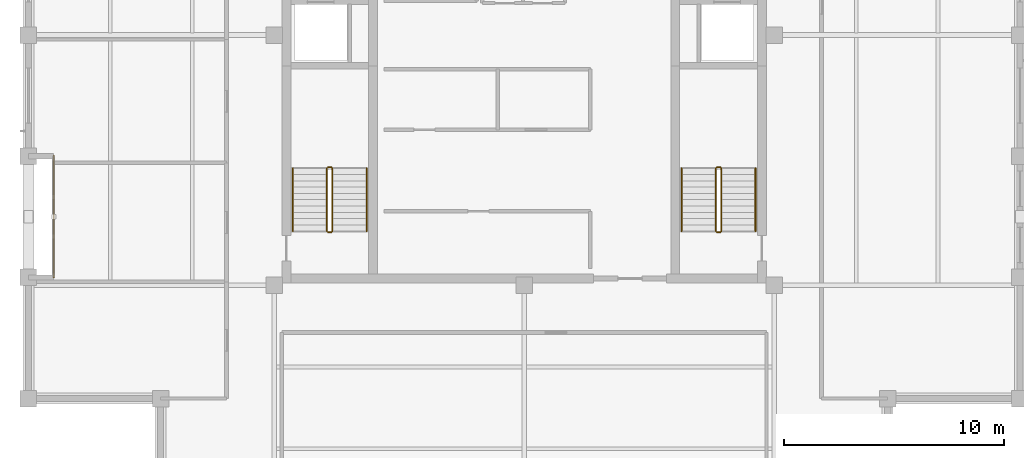
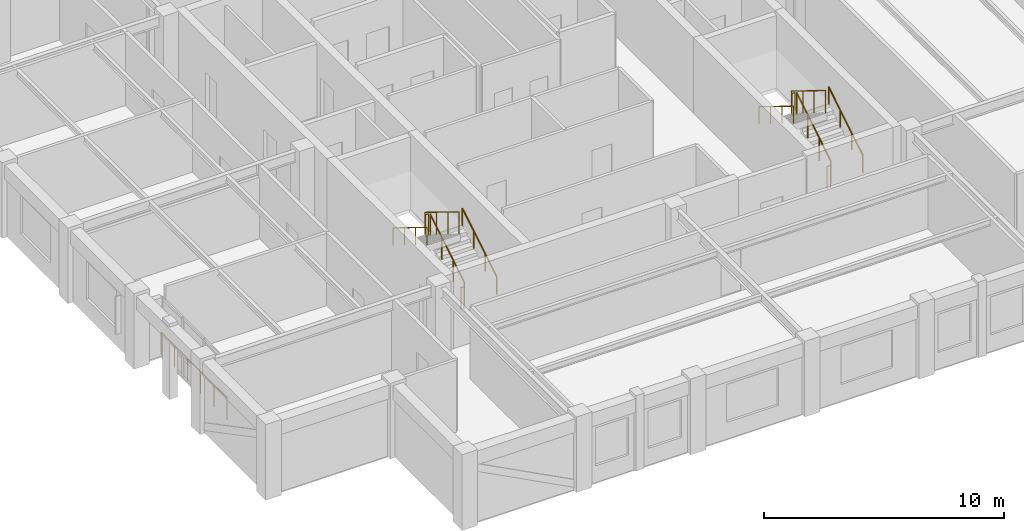
# One storey, part 13 of 13: 13 railings.
"""IFC4 building model written with IfcOpenShell, lengths in metres."""

from ifc_helpers import new_model, si_unit, direction, frame, origin, origin_2d, place, context, subcontext, project, spatial, circle, extrude, material, type_object, element, save


model = new_model("IFC4")

# Units and contexts
model_context = context("Model", 3, precision=1e-05, world=origin(), true_north=direction((0.0, 1.0)))
body_context = subcontext(model_context, "Body", "Model", "MODEL_VIEW")
ifc_project = project(units=[si_unit("LENGTHUNIT", "METRE"), si_unit("AREAUNIT", "SQUARE_METRE"), si_unit("VOLUMEUNIT", "CUBIC_METRE"), si_unit("PLANEANGLEUNIT", "RADIAN"), si_unit("MASSUNIT", "GRAM", prefix="KILO")], contexts=[model_context])

# Site, building, storey
site_placement = place(None, origin())
site = spatial("IfcSite", under=ifc_project, at=site_placement, CompositionType="ELEMENT")
building_placement = place(site_placement, origin())
building = spatial("IfcBuilding", under=site, at=building_placement, Name="Nhamokura Convention Tower", CompositionType="ELEMENT")
storey_placement = place(building_placement, frame((0.0, 0.0, 300.64990234375)))
storey = spatial("IfcBuildingStorey", under=building, at=storey_placement, Name="L74", CompositionType="ELEMENT", Elevation=300.64990234375)

# Railings
ifc_material_1 = material(Name="Anodised bronze stainless steel", Category="steel")
railing_type_1 = type_object("IfcRailingType", Name="StairWallHandrail_900", PredefinedType="HANDRAIL", material=ifc_material_1)
railing_1_placement = place(storey_placement, frame((24.85009765625, 23.10009765625, 0.175048828125)))
element("IfcRailing", 1, at=railing_1_placement, inside=storey, type_object=railing_type_1, Name="L74 ST-01 stair handrail 1", PredefinedType="HANDRAIL", context=body_context, shape_type="SweptSolid", body=[
    extrude(circle(Radius=0.02392578125, at=origin_2d()), frame((0.0, 0.0, 0.8759765625), z_axis=(0.0, 0.852159232446, 0.523282564737), x_axis=(-1.0, 0.0, 0.0)), (0.0, 0.0, 1.0), 3.34423828125),
    extrude(circle(Radius=0.02099609375, at=origin_2d()), origin(), (0.0, 0.0, 1.0), 0.851806640625),
    extrude(circle(Radius=0.02099609375, at=origin_2d()), frame((0.0, 0.949951171875, 0.583251953125)), (0.0, 0.0, 1.0), 0.851806640625),
    extrude(circle(Radius=0.02099609375, at=origin_2d()), frame((0.0, 1.89990234375, 1.166748046875)), (0.0, 0.0, 1.0), 0.851806640625),
    extrude(circle(Radius=0.02099609375, at=origin_2d()), frame((0.0, 2.849853515625, 1.75)), (0.0, 0.0, 1.0), 0.851806640625),
])
railing_2_placement = place(storey_placement, frame((21.5, 25.949951171875, 2.10009765625)))
element("IfcRailing", 2, at=railing_2_placement, inside=storey, type_object=railing_type_1, Name="L74 ST-01 stair handrail 2", PredefinedType="HANDRAIL", context=body_context, shape_type="SweptSolid", body=[
    extrude(circle(Radius=0.02392578125, at=origin_2d()), frame((0.0, 0.0, 0.8759765625), z_axis=(0.0, -0.852159232446, 0.523282564737), x_axis=(1.0, 0.0, 0.0)), (0.0, 0.0, 1.0), 3.34423828125),
    extrude(circle(Radius=0.02099609375, at=origin_2d()), origin(), (0.0, 0.0, 1.0), 0.851806640625),
    extrude(circle(Radius=0.02099609375, at=origin_2d()), frame((0.0, -0.949951171875, 0.583251953125)), (0.0, 0.0, 1.0), 0.851806640625),
    extrude(circle(Radius=0.02099609375, at=origin_2d()), frame((0.0, -1.89990234375, 1.166748046875)), (0.0, 0.0, 1.0), 0.851806640625),
    extrude(circle(Radius=0.02099609375, at=origin_2d()), frame((0.0, -2.849853515625, 1.75)), (0.0, 0.0, 1.0), 0.851806640625),
])
railing_3_placement = place(storey_placement, frame((42.5, 23.10009765625, 0.175048828125)))
element("IfcRailing", 3, at=railing_3_placement, inside=storey, type_object=railing_type_1, Name="L74 ST-02 stair handrail 1", PredefinedType="HANDRAIL", context=body_context, shape_type="SweptSolid", body=[
    extrude(circle(Radius=0.02392578125, at=origin_2d()), frame((0.0, 0.0, 0.8759765625), z_axis=(0.0, 0.852159232446, 0.523282564737), x_axis=(-1.0, 0.0, 0.0)), (0.0, 0.0, 1.0), 3.34423828125),
    extrude(circle(Radius=0.02099609375, at=origin_2d()), origin(), (0.0, 0.0, 1.0), 0.851806640625),
    extrude(circle(Radius=0.02099609375, at=origin_2d()), frame((0.0, 0.949951171875, 0.583251953125)), (0.0, 0.0, 1.0), 0.851806640625),
    extrude(circle(Radius=0.02099609375, at=origin_2d()), frame((0.0, 1.89990234375, 1.166748046875)), (0.0, 0.0, 1.0), 0.851806640625),
    extrude(circle(Radius=0.02099609375, at=origin_2d()), frame((0.0, 2.849853515625, 1.75)), (0.0, 0.0, 1.0), 0.851806640625),
])
railing_4_placement = place(storey_placement, frame((39.14990234375, 25.949951171875, 2.10009765625)))
element("IfcRailing", 4, at=railing_4_placement, inside=storey, type_object=railing_type_1, Name="L74 ST-02 stair handrail 2", PredefinedType="HANDRAIL", context=body_context, shape_type="SweptSolid", body=[
    extrude(circle(Radius=0.02392578125, at=origin_2d()), frame((0.0, 0.0, 0.8759765625), z_axis=(0.0, -0.852159232446, 0.523282564737), x_axis=(1.0, 0.0, 0.0)), (0.0, 0.0, 1.0), 3.34423828125),
    extrude(circle(Radius=0.02099609375, at=origin_2d()), origin(), (0.0, 0.0, 1.0), 0.851806640625),
    extrude(circle(Radius=0.02099609375, at=origin_2d()), frame((0.0, -0.949951171875, 0.583251953125)), (0.0, 0.0, 1.0), 0.851806640625),
    extrude(circle(Radius=0.02099609375, at=origin_2d()), frame((0.0, -1.89990234375, 1.166748046875)), (0.0, 0.0, 1.0), 0.851806640625),
    extrude(circle(Radius=0.02099609375, at=origin_2d()), frame((0.0, -2.849853515625, 1.75)), (0.0, 0.0, 1.0), 0.851806640625),
])
ifc_material_2 = material(Name="Painted tubular steel", Category="steel")
railing_type_2 = type_object("IfcRailingType", Name="StairWellGuardrail_1150", PredefinedType="GUARDRAIL", material=ifc_material_2)
railing_5_placement = place(storey_placement, frame((23.300048828125, 23.10009765625, 0.175048828125)))
element("IfcRailing", 5, at=railing_5_placement, inside=storey, type_object=railing_type_2, Name="L74 ST-01 stair guard 1", PredefinedType="GUARDRAIL", context=body_context, shape_type="SweptSolid", body=[
    extrude(circle(Radius=0.02392578125, at=origin_2d()), frame((0.0, 0.0, 1.1259765625), z_axis=(0.0, 0.852159232446, 0.523282564737), x_axis=(-1.0, 0.0, 0.0)), (0.0, 0.0, 1.0), 3.34423828125),
    extrude(circle(Radius=0.02099609375, at=origin_2d()), origin(), (0.0, 0.0, 1.0), 1.101806640625),
    extrude(circle(Radius=0.02099609375, at=origin_2d()), frame((0.0, 0.949951171875, 0.583251953125)), (0.0, 0.0, 1.0), 1.101806640625),
    extrude(circle(Radius=0.02099609375, at=origin_2d()), frame((0.0, 1.89990234375, 1.166748046875)), (0.0, 0.0, 1.0), 1.101806640625),
    extrude(circle(Radius=0.02099609375, at=origin_2d()), frame((0.0, 2.849853515625, 1.75)), (0.0, 0.0, 1.0), 1.101806640625),
])
railing_6_placement = place(storey_placement, frame((23.25, 26.0, 1.925048828125)))
element("IfcRailing", 6, at=railing_6_placement, inside=storey, type_object=railing_type_2, Name="L74 ST-01 stair guard 2", PredefinedType="GUARDRAIL", context=body_context, shape_type="SweptSolid", body=[
    extrude(circle(Radius=0.02392578125, at=origin_2d()), frame((0.0, 0.0, 1.1259765625), z_axis=(-1.0, 0.0, 0.0), x_axis=(0.0, -1.0, 0.0)), (0.0, 0.0, 1.0), 0.14990234375),
    extrude(circle(Radius=0.02099609375, at=origin_2d()), origin(), (0.0, 0.0, 1.0), 1.101806640625),
    extrude(circle(Radius=0.02099609375, at=origin_2d()), frame((-0.14990234375, 0.0, 0.0)), (0.0, 0.0, 1.0), 1.101806640625),
])
railing_7_placement = place(storey_placement, frame((23.050048828125, 25.949951171875, 2.10009765625)))
element("IfcRailing", 7, at=railing_7_placement, inside=storey, type_object=railing_type_2, Name="L74 ST-01 stair guard 3", PredefinedType="GUARDRAIL", context=body_context, shape_type="SweptSolid", body=[
    extrude(circle(Radius=0.02392578125, at=origin_2d()), frame((0.0, 0.0, 1.1259765625), z_axis=(0.0, -0.852159232446, 0.523282564737), x_axis=(1.0, 0.0, 0.0)), (0.0, 0.0, 1.0), 3.34423828125),
    extrude(circle(Radius=0.02099609375, at=origin_2d()), origin(), (0.0, 0.0, 1.0), 1.101806640625),
    extrude(circle(Radius=0.02099609375, at=origin_2d()), frame((0.0, -0.949951171875, 0.583251953125)), (0.0, 0.0, 1.0), 1.101806640625),
    extrude(circle(Radius=0.02099609375, at=origin_2d()), frame((0.0, -1.89990234375, 1.166748046875)), (0.0, 0.0, 1.0), 1.101806640625),
    extrude(circle(Radius=0.02099609375, at=origin_2d()), frame((0.0, -2.849853515625, 1.75)), (0.0, 0.0, 1.0), 1.101806640625),
])
railing_8_placement = place(storey_placement, frame((23.25, 23.050048828125, 0.0)))
element("IfcRailing", 8, at=railing_8_placement, inside=storey, type_object=railing_type_2, Name="L74 ST-01 stair guard 4", PredefinedType="GUARDRAIL", context=body_context, shape_type="SweptSolid", body=[
    extrude(circle(Radius=0.02392578125, at=origin_2d()), frame((0.0, 0.0, 1.1259765625), z_axis=(-1.0, 0.0, 0.0), x_axis=(0.0, -1.0, 0.0)), (0.0, 0.0, 1.0), 0.14990234375),
    extrude(circle(Radius=0.02099609375, at=origin_2d()), origin(), (0.0, 0.0, 1.0), 1.101806640625),
    extrude(circle(Radius=0.02099609375, at=origin_2d()), frame((-0.14990234375, 0.0, 0.0)), (0.0, 0.0, 1.0), 1.101806640625),
])
railing_9_placement = place(storey_placement, frame((40.949951171875, 23.10009765625, 0.175048828125)))
element("IfcRailing", 9, at=railing_9_placement, inside=storey, type_object=railing_type_2, Name="L74 ST-02 stair guard 1", PredefinedType="GUARDRAIL", context=body_context, shape_type="SweptSolid", body=[
    extrude(circle(Radius=0.02392578125, at=origin_2d()), frame((0.0, 0.0, 1.1259765625), z_axis=(0.0, 0.852159232446, 0.523282564737), x_axis=(-1.0, 0.0, 0.0)), (0.0, 0.0, 1.0), 3.34423828125),
    extrude(circle(Radius=0.02099609375, at=origin_2d()), origin(), (0.0, 0.0, 1.0), 1.101806640625),
    extrude(circle(Radius=0.02099609375, at=origin_2d()), frame((0.0, 0.949951171875, 0.583251953125)), (0.0, 0.0, 1.0), 1.101806640625),
    extrude(circle(Radius=0.02099609375, at=origin_2d()), frame((0.0, 1.89990234375, 1.166748046875)), (0.0, 0.0, 1.0), 1.101806640625),
    extrude(circle(Radius=0.02099609375, at=origin_2d()), frame((0.0, 2.849853515625, 1.75)), (0.0, 0.0, 1.0), 1.101806640625),
])
railing_10_placement = place(storey_placement, frame((40.89990234375, 26.0, 1.925048828125)))
element("IfcRailing", 10, at=railing_10_placement, inside=storey, type_object=railing_type_2, Name="L74 ST-02 stair guard 2", PredefinedType="GUARDRAIL", context=body_context, shape_type="SweptSolid", body=[
    extrude(circle(Radius=0.02392578125, at=origin_2d()), frame((0.0, 0.0, 1.1259765625), z_axis=(-1.0, 0.0, 0.0), x_axis=(0.0, -1.0, 0.0)), (0.0, 0.0, 1.0), 0.14990234375),
    extrude(circle(Radius=0.02099609375, at=origin_2d()), origin(), (0.0, 0.0, 1.0), 1.101806640625),
    extrude(circle(Radius=0.02099609375, at=origin_2d()), frame((-0.14990234375, 0.0, 0.0)), (0.0, 0.0, 1.0), 1.101806640625),
])
railing_11_placement = place(storey_placement, frame((40.699951171875, 25.949951171875, 2.10009765625)))
element("IfcRailing", 11, at=railing_11_placement, inside=storey, type_object=railing_type_2, Name="L74 ST-02 stair guard 3", PredefinedType="GUARDRAIL", context=body_context, shape_type="SweptSolid", body=[
    extrude(circle(Radius=0.02392578125, at=origin_2d()), frame((0.0, 0.0, 1.1259765625), z_axis=(0.0, -0.852159232446, 0.523282564737), x_axis=(1.0, 0.0, 0.0)), (0.0, 0.0, 1.0), 3.34423828125),
    extrude(circle(Radius=0.02099609375, at=origin_2d()), origin(), (0.0, 0.0, 1.0), 1.101806640625),
    extrude(circle(Radius=0.02099609375, at=origin_2d()), frame((0.0, -0.949951171875, 0.583251953125)), (0.0, 0.0, 1.0), 1.101806640625),
    extrude(circle(Radius=0.02099609375, at=origin_2d()), frame((0.0, -1.89990234375, 1.166748046875)), (0.0, 0.0, 1.0), 1.101806640625),
    extrude(circle(Radius=0.02099609375, at=origin_2d()), frame((0.0, -2.849853515625, 1.75)), (0.0, 0.0, 1.0), 1.101806640625),
])
railing_12_placement = place(storey_placement, frame((40.89990234375, 23.050048828125, 0.0)))
element("IfcRailing", 12, at=railing_12_placement, inside=storey, type_object=railing_type_2, Name="L74 ST-02 stair guard 4", PredefinedType="GUARDRAIL", context=body_context, shape_type="SweptSolid", body=[
    extrude(circle(Radius=0.02392578125, at=origin_2d()), frame((0.0, 0.0, 1.1259765625), z_axis=(-1.0, 0.0, 0.0), x_axis=(0.0, -1.0, 0.0)), (0.0, 0.0, 1.0), 0.14990234375),
    extrude(circle(Radius=0.02099609375, at=origin_2d()), origin(), (0.0, 0.0, 1.0), 1.101806640625),
    extrude(circle(Radius=0.02099609375, at=origin_2d()), frame((-0.14990234375, 0.0, 0.0)), (0.0, 0.0, 1.0), 1.101806640625),
])
ifc_material_3 = material(Name="Anodised bronze stainless steel", Category="steel")
railing_type_3 = type_object("IfcRailingType", Name="TerraceGuardrail_1150", PredefinedType="GUARDRAIL", material=ifc_material_3)
railing_13_placement = place(storey_placement, frame((10.64990234375, 21.0, 0.0)))
element("IfcRailing", 13, at=railing_13_placement, inside=storey, type_object=railing_type_3, Name="L74 Scale-Slot Edge Guardrail WEST 1", PredefinedType="GUARDRAIL", context=body_context, shape_type="SweptSolid", body=[
    extrude(circle(Radius=0.02392578125, at=origin_2d()), frame((0.0, 0.0, 1.1259765625), z_axis=(0.0, 1.0, 0.0), x_axis=(-1.0, 0.0, 0.0)), (0.0, 0.0, 1.0), 5.5),
    extrude(circle(Radius=0.02099609375, at=origin_2d()), origin(), (0.0, 0.0, 1.0), 1.101806640625),
    extrude(circle(Radius=0.02099609375, at=origin_2d()), frame((0.0, 1.10009765625, 0.0)), (0.0, 0.0, 1.0), 1.101806640625),
    extrude(circle(Radius=0.02099609375, at=origin_2d()), frame((0.0, 2.199951171875, 0.0)), (0.0, 0.0, 1.0), 1.101806640625),
    extrude(circle(Radius=0.02099609375, at=origin_2d()), frame((0.0, 3.300048828125, 0.0)), (0.0, 0.0, 1.0), 1.101806640625),
    extrude(circle(Radius=0.02099609375, at=origin_2d()), frame((0.0, 4.39990234375, 0.0)), (0.0, 0.0, 1.0), 1.101806640625),
    extrude(circle(Radius=0.02099609375, at=origin_2d()), frame((0.0, 5.5, 0.0)), (0.0, 0.0, 1.0), 1.101806640625),
])

save(model, "model.ifc")
